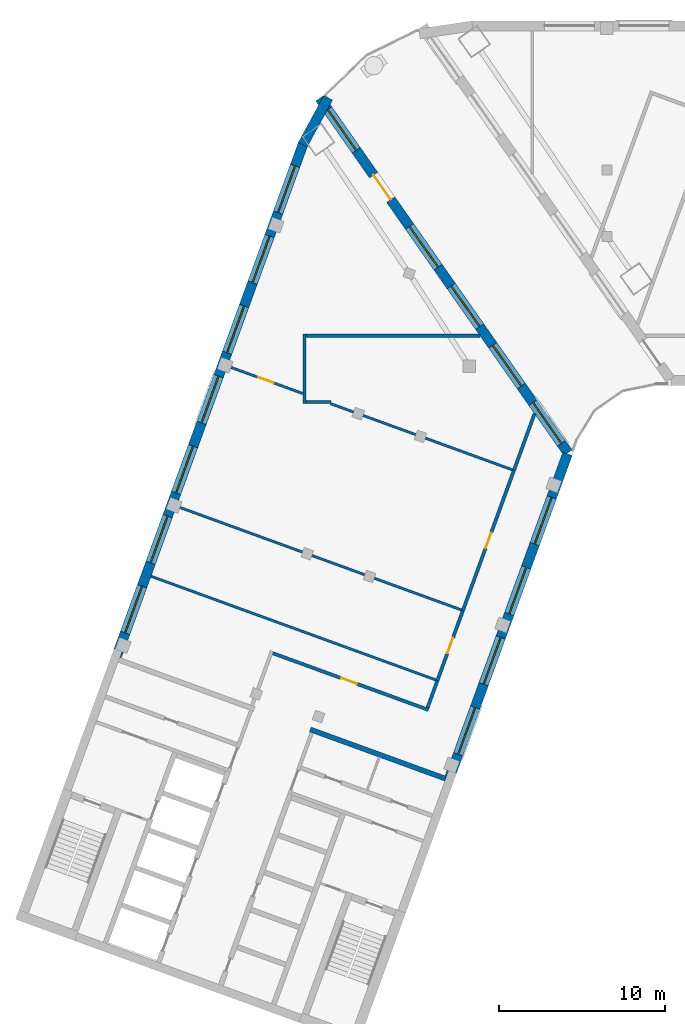
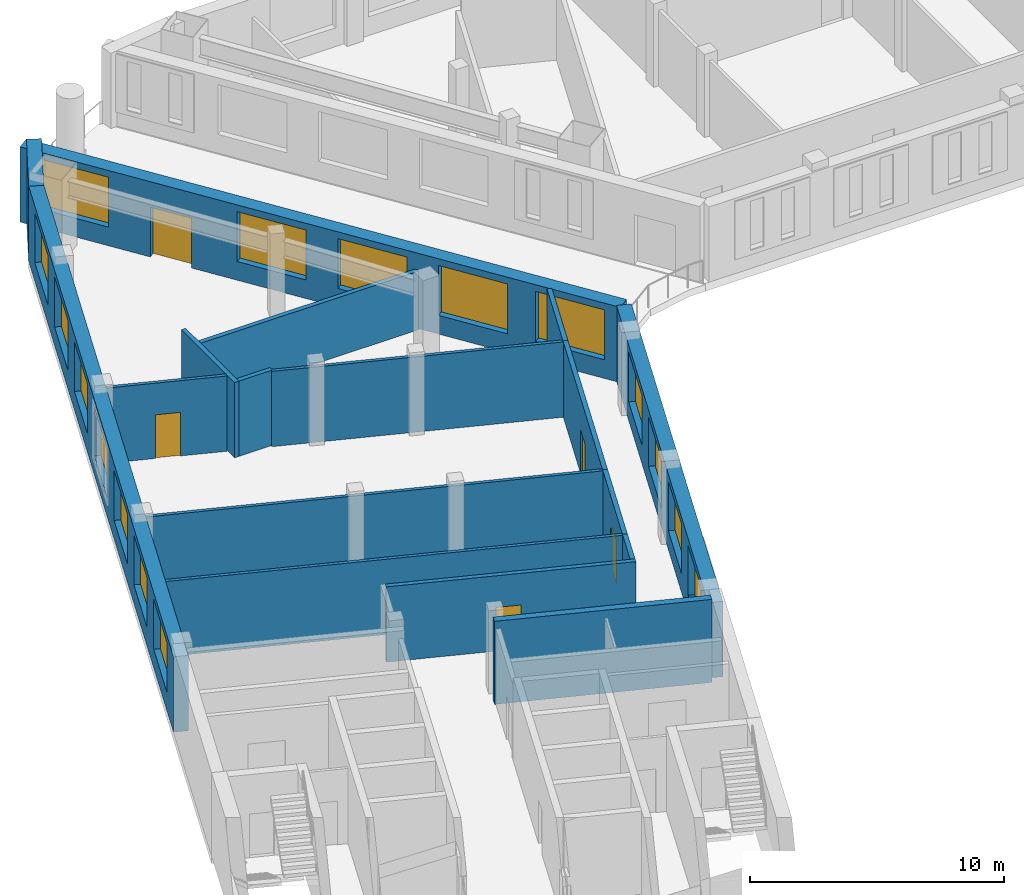
# One storey, part 3 of 11: 17 walls, 16 windows, 5 doors, 21 openings.
"""IFC4 building model written with IfcOpenShell, lengths in metres."""

from ifc_helpers import new_model, si_unit, direction, frame, frame_2d, origin, place, context, subcontext, project, spatial, rectangle, extrude, material, layer, layer_set, type_object, element, fill, save


model = new_model("IFC4")

# Units and contexts
model_context = context("Model", 3, precision=1e-05, world=origin(), true_north=direction((0.0, 1.0)))
body_context = subcontext(model_context, "Body", "Model", "MODEL_VIEW")
ifc_project = project(units=[si_unit("LENGTHUNIT", "METRE"), si_unit("AREAUNIT", "SQUARE_METRE"), si_unit("VOLUMEUNIT", "CUBIC_METRE"), si_unit("PLANEANGLEUNIT", "RADIAN"), si_unit("MASSUNIT", "GRAM", prefix="KILO")], contexts=[model_context])

# Site, building, storey
site_placement = place(None, origin())
site = spatial("IfcSite", under=ifc_project, at=site_placement, CompositionType="ELEMENT")
building_placement = place(site_placement, origin())
building = spatial("IfcBuilding", under=site, at=building_placement, Name="Skarvind Civic Tower", CompositionType="ELEMENT")
storey_placement = place(building_placement, frame((0.0, 0.0, 212.0)))
storey = spatial("IfcBuildingStorey", under=building, at=storey_placement, Name="L50", CompositionType="ELEMENT", Elevation=212.0)

# Wall
ifc_material_1 = material(Name="Concrete C60", Category="concrete")
ifc_layer_1 = layer(ifc_material_1, 0.300048828125)
ifc_layer_set_1 = layer_set([ifc_layer_1], Name="Core wall 300 C60")
wall_type_1 = type_object("IfcWallType", Name="Core wall 300 C60", PredefinedType="SHEAR", material=ifc_layer_set_1)
wall_1_placement = place(storey_placement, frame((44.52880859375, 93.258056640625, 0.0), z_axis=(0.0, 0.0, 1.0), x_axis=(-0.9396917844, 0.342022441267, 0.0)))
element("IfcWall", 1, at=wall_1_placement, inside=storey, type_object=wall_type_1, Name="Core wall C2 south inner face L50", PredefinedType="SHEAR", context=body_context, shape_type="SweptSolid", body=[
    extrude(rectangle(XDim=8.699951171875, YDim=0.300048828125, at=frame_2d((4.35009765625, 0.0))), origin(), (0.0, 0.0, 1.0), 4.0),
])

# Wall, opening, door
ifc_material_2 = material(Name="Fire-rated blockwork wall, plastered", Category="masonry")
ifc_layer_2 = layer(ifc_material_2, 0.199951171875)
ifc_layer_set_2 = layer_set([ifc_layer_2], Name="FIRE WALL 200 EI 60")
wall_type_2 = type_object("IfcWallType", Name="FIRE WALL 200 EI 60", PredefinedType="PARTITIONING", material=ifc_layer_set_2)
wall_2_placement = place(storey_placement, frame((34.091064453125, 100.8349609375, 0.0), z_axis=(0.0, 0.0, 1.0), x_axis=(0.939702148643, -0.341993964619, 0.0)))
wall_2 = element("IfcWall", 2, at=wall_2_placement, inside=storey, type_object=wall_type_2, Name="Portal partition L50 005", PredefinedType="PARTITIONING", context=body_context, shape_type="SweptSolid", body=[
    extrude(rectangle(XDim=10.0, YDim=0.199951171875, at=frame_2d((5.0, 0.0))), origin(), (0.0, 0.0, 1.0), 3.625),
])
opening_1_placement = place(wall_2_placement, frame((4.39990234375, 0.0, 0.0)))
opening_1 = element("IfcOpeningElement", 3, at=opening_1_placement, cuts=wall_2, Name="Opening L50-D202", PredefinedType="OPENING", context=body_context, shape_type="SweptSolid", body=[
    extrude(rectangle(XDim=1.0, YDim=2.10009765625, at=frame_2d((0.5, 1.050048828125))), frame((0.0, 0.10986328125, 0.0), z_axis=(0.0, -1.0, 0.0), x_axis=(1.0, 0.0, 0.0)), (0.0, 0.0, 1.0), 0.219970703125),
])
ifc_material_3 = material(Name="Painted steel fire door leaf", Category="steel")
door_type_1 = type_object("IfcDoorType", Name="FIRE DOOR 1000X2100 STEEL", OperationType="NOTDEFINED", PredefinedType="DOOR", material=ifc_material_3)
door_1_placement = place(opening_1_placement, origin())
door_1 = element("IfcDoor", 4, at=door_1_placement, inside=storey, type_object=door_type_1, Name="FIRE DOOR", OperationType="SINGLE_SWING_LEFT", OverallHeight=2.10009765625, OverallWidth=1.0, PredefinedType="DOOR", context=body_context, shape_type="SweptSolid", body=[
    extrude(rectangle(XDim=1.0, YDim=2.10009765625, at=frame_2d((0.5, 1.050048828125))), frame((0.0, 0.02490234375, 0.0), z_axis=(0.0, -1.0, 0.0), x_axis=(1.0, 0.0, 0.0)), (0.0, 0.0, 1.0), 0.050048828125),
])
fill(opening_1, door_1)

# Walls
wall_3_placement = place(storey_placement, frame((36.0, 115.89990234375, 0.0), z_axis=(0.0, 0.0, 1.0), x_axis=(0.0, 1.0, 0.0)))
element("IfcWall", 5, at=wall_3_placement, inside=storey, type_object=wall_type_2, Name="Portal partition L50 006", PredefinedType="PARTITIONING", context=body_context, shape_type="SweptSolid", body=[
    extrude(rectangle(XDim=4.2001953125, YDim=0.199951171875, at=frame_2d((2.10009765625, 0.0))), origin(), (0.0, 0.0, 1.0), 3.625),
])
wall_4_placement = place(storey_placement, frame((36.10009765625, 116.0, 0.0), z_axis=(0.0, 0.0, 1.0), x_axis=(1.0, 0.0, 0.0)))
element("IfcWall", 6, at=wall_4_placement, inside=storey, type_object=wall_type_2, Name="Portal partition L50 007", PredefinedType="PARTITIONING", context=body_context, shape_type="SweptSolid", body=[
    extrude(rectangle(XDim=1.515869140625, YDim=0.199951171875, at=frame_2d((0.7578125, 0.0))), origin(), (0.0, 0.0, 1.0), 3.625),
])
wall_5_placement = place(storey_placement, frame((36.10009765625, 120.0, 0.0), z_axis=(0.0, 0.0, 1.0), x_axis=(1.0, 0.0, 0.0)))
element("IfcWall", 7, at=wall_5_placement, inside=storey, type_object=wall_type_2, Name="Portal partition L50 008", PredefinedType="PARTITIONING", context=body_context, shape_type="SweptSolid", body=[
    extrude(rectangle(XDim=10.495849609375, YDim=0.199951171875, at=frame_2d((5.248046875, 0.0))), origin(), (0.0, 0.0, 1.0), 2.824951171875),
])
wall_6_placement = place(storey_placement, frame((43.427978515625, 97.54296875, 0.0), z_axis=(0.0, 0.0, 1.0), x_axis=(0.341776678944, 0.93978119886, 0.0)))
element("IfcWall", 8, at=wall_6_placement, inside=storey, type_object=wall_type_2, Name="Portal partition L50 010", PredefinedType="PARTITIONING", context=body_context, shape_type="SweptSolid", body=[
    extrude(rectangle(XDim=1.749267578125, YDim=0.199951171875, at=frame_2d((0.87451171875, 0.0))), origin(), (0.0, 0.0, 1.0), 3.625),
])

# Wall, opening, door
wall_7_placement = place(storey_placement, frame((44.02587890625, 99.18701171875, 0.0), z_axis=(0.0, 0.0, 1.0), x_axis=(0.342178571597, 0.939634942486, 0.0)))
wall_7 = element("IfcWall", 9, at=wall_7_placement, inside=storey, type_object=wall_type_2, Name="Portal partition L50 011", PredefinedType="PARTITIONING", context=body_context, shape_type="SweptSolid", body=[
    extrude(rectangle(XDim=4.500732421875, YDim=0.199951171875, at=frame_2d((2.25048828125, 0.0))), origin(), (0.0, 0.0, 1.0), 3.625),
])
opening_2_placement = place(wall_7_placement, frame((1.75, 0.0, 0.0)))
opening_2 = element("IfcOpeningElement", 10, at=opening_2_placement, cuts=wall_7, Name="Opening L50-D203", PredefinedType="OPENING", context=body_context, shape_type="SweptSolid", body=[
    extrude(rectangle(XDim=1.0, YDim=2.10009765625, at=frame_2d((0.5, 1.050048828125))), frame((0.0, 0.10986328125, 0.0), z_axis=(0.0, -1.0, 0.0), x_axis=(1.0, 0.0, 0.0)), (0.0, 0.0, 1.0), 0.219970703125),
])
door_2_placement = place(opening_2_placement, origin())
door_2 = element("IfcDoor", 11, at=door_2_placement, inside=storey, type_object=door_type_1, Name="FIRE DOOR", OperationType="SINGLE_SWING_RIGHT", OverallHeight=2.10009765625, OverallWidth=1.0, PredefinedType="DOOR", context=body_context, shape_type="SweptSolid", body=[
    extrude(rectangle(XDim=1.0, YDim=2.10009765625, at=frame_2d((0.5, 1.050048828125))), frame((0.0, 0.02490234375, 0.0), z_axis=(0.0, -1.0, 0.0), x_axis=(1.0, 0.0, 0.0)), (0.0, 0.0, 1.0), 0.050048828125),
])
fill(opening_2, door_2)

wall_8_placement = place(storey_placement, frame((45.56591796875, 103.416015625, 0.0), z_axis=(0.0, 0.0, 1.0), x_axis=(0.3420218461, 0.939692001025, 0.0)))
wall_8 = element("IfcWall", 12, at=wall_8_placement, inside=storey, type_object=wall_type_2, Name="Portal partition L50 012", PredefinedType="PARTITIONING", context=body_context, shape_type="SweptSolid", body=[
    extrude(rectangle(XDim=8.999755859375, YDim=0.199951171875, at=frame_2d((4.5, 0.0))), origin(), (0.0, 0.0, 1.0), 3.625),
])
opening_3_placement = place(wall_8_placement, frame((4.0, 0.0, 0.0)))
opening_3 = element("IfcOpeningElement", 13, at=opening_3_placement, cuts=wall_8, Name="Opening L50-D204", PredefinedType="OPENING", context=body_context, shape_type="SweptSolid", body=[
    extrude(rectangle(XDim=1.0, YDim=2.10009765625, at=frame_2d((0.5, 1.050048828125))), frame((0.0, 0.10986328125, 0.0), z_axis=(0.0, -1.0, 0.0), x_axis=(1.0, 0.0, 0.0)), (0.0, 0.0, 1.0), 0.219970703125),
])
door_3_placement = place(opening_3_placement, origin())
door_3 = element("IfcDoor", 14, at=door_3_placement, inside=storey, type_object=door_type_1, Name="FIRE DOOR", OperationType="SINGLE_SWING_LEFT", OverallHeight=2.10009765625, OverallWidth=1.0, PredefinedType="DOOR", context=body_context, shape_type="SweptSolid", body=[
    extrude(rectangle(XDim=1.0, YDim=2.10009765625, at=frame_2d((0.5, 1.050048828125))), frame((0.0, 0.02490234375, 0.0), z_axis=(0.0, -1.0, 0.0), x_axis=(1.0, 0.0, 0.0)), (0.0, 0.0, 1.0), 0.050048828125),
])
fill(opening_3, door_3)

# Walls
wall_9_placement = place(storey_placement, frame((48.64404296875, 111.873046875, 0.0), z_axis=(0.0, 0.0, 1.0), x_axis=(0.342028270269, 0.939689662781, 0.0)))
element("IfcWall", 15, at=wall_9_placement, inside=storey, type_object=wall_type_2, Name="Portal partition L50 013", PredefinedType="PARTITIONING", context=body_context, shape_type="SweptSolid", body=[
    extrude(rectangle(XDim=3.642578125, YDim=0.199951171875, at=frame_2d((1.8212890625, 0.0))), origin(), (0.0, 0.0, 1.0), 3.625),
])
ifc_material_4 = material(Name="Plasterboard partition on steel studs", Category="steel")
ifc_layer_3 = layer(ifc_material_4, 0.14990234375)
ifc_layer_set_3 = layer_set([ifc_layer_3], Name="PARTITION 150")
wall_type_3 = type_object("IfcWallType", Name="PARTITION 150", PredefinedType="PARTITIONING", material=ifc_layer_set_3)
wall_10_placement = place(storey_placement, frame((26.737060546875, 105.48095703125, 0.0), z_axis=(0.0, 0.0, 1.0), x_axis=(0.939664418128, -0.342097619554, 0.0)))
element("IfcWall", 16, at=wall_10_placement, inside=storey, type_object=wall_type_3, Name="Portal partition L50 001", PredefinedType="PARTITIONING", context=body_context, shape_type="SweptSolid", body=[
    extrude(rectangle(XDim=18.298828125, YDim=0.14990234375, at=frame_2d((9.1494140625, 0.0))), origin(), (0.0, 0.0, 1.0), 3.625),
])
wall_11_placement = place(storey_placement, frame((28.27490234375, 109.708984375, 0.0), z_axis=(0.0, 0.0, 1.0), x_axis=(0.939695619185, -0.342011905181, 0.0)))
element("IfcWall", 17, at=wall_11_placement, inside=storey, type_object=wall_type_3, Name="Portal partition L50 002", PredefinedType="PARTITIONING", context=body_context, shape_type="SweptSolid", body=[
    extrude(rectangle(XDim=18.300537109375, YDim=0.14990234375, at=frame_2d((9.150390625, 0.0))), origin(), (0.0, 0.0, 1.0), 3.625),
])

# Wall, opening, door
wall_12_placement = place(storey_placement, frame((35.89990234375, 116.510986328125, 0.0), z_axis=(0.0, 0.0, 1.0), x_axis=(-0.939620956464, 0.342216975284, 0.0)))
wall_12 = element("IfcWall", 18, at=wall_12_placement, inside=storey, type_object=wall_type_3, Name="Portal partition L50 003", PredefinedType="PARTITIONING", context=body_context, shape_type="SweptSolid", body=[
    extrude(rectangle(XDim=4.839111328125, YDim=0.14990234375, at=frame_2d((2.41943359375, 0.0))), origin(), (0.0, 0.0, 1.0), 3.625),
])
opening_4_placement = place(wall_12_placement, frame((1.865966796875, 0.0, 0.0)))
opening_4 = element("IfcOpeningElement", 19, at=opening_4_placement, cuts=wall_12, Name="Opening L50-D201", PredefinedType="OPENING", context=body_context, shape_type="SweptSolid", body=[
    extrude(rectangle(XDim=1.0, YDim=2.10009765625, at=frame_2d((0.5, 1.050048828125))), frame((0.0, 0.0849609375, 0.0), z_axis=(0.0, -1.0, 0.0), x_axis=(1.0, 0.0, 0.0)), (0.0, 0.0, 1.0), 0.169921875),
])
ifc_material_5 = material(Name="Timber veneer door leaf", Category="wood")
door_type_2 = type_object("IfcDoorType", Name="DOOR 1000X2100 TIMBER", OperationType="NOTDEFINED", PredefinedType="DOOR", material=ifc_material_5)
door_4_placement = place(opening_4_placement, origin())
door_4 = element("IfcDoor", 20, at=door_4_placement, inside=storey, type_object=door_type_2, Name="DOOR DOOR", OperationType="SINGLE_SWING_RIGHT", OverallHeight=2.10009765625, OverallWidth=1.0, PredefinedType="DOOR", context=body_context, shape_type="SweptSolid", body=[
    extrude(rectangle(XDim=1.0, YDim=2.10009765625, at=frame_2d((0.5, 1.050048828125))), frame((0.0, 0.02490234375, 0.0), z_axis=(0.0, -1.0, 0.0), x_axis=(1.0, 0.0, 0.0)), (0.0, 0.0, 1.0), 0.050048828125),
])
fill(opening_4, door_4)

# Wall
wall_13_placement = place(storey_placement, frame((37.573974609375, 115.902099609375, 0.0), z_axis=(0.0, 0.0, 1.0), x_axis=(0.939688414098, -0.342031700883, 0.0)))
element("IfcWall", 21, at=wall_13_placement, inside=storey, type_object=wall_type_3, Name="Portal partition L50 009", PredefinedType="PARTITIONING", context=body_context, shape_type="SweptSolid", body=[
    extrude(rectangle(XDim=11.6806640625, YDim=0.14990234375, at=frame_2d((5.84033203125, 0.0))), origin(), (0.0, 0.0, 1.0), 3.625),
])

# Wall, openings, windows
ifc_material_6 = material(Name="Limestone masonry cladding on insulated backing", Category="masonry")
ifc_layer_4 = layer(ifc_material_6, 0.60009765625)
ifc_layer_set_4 = layer_set([ifc_layer_4], Name="WX1 STONE FACADE WALL 600")
wall_type_4 = type_object("IfcWallType", Name="WX1 STONE FACADE WALL 600", PredefinedType="SOLIDWALL", material=ifc_layer_set_4)
wall_14_placement = place(storey_placement, frame((51.876953125, 112.862060546875, 0.0), z_axis=(0.0, 0.0, 1.0), x_axis=(-0.342020589714, -0.939692458314, 0.0)))
wall_14 = element("IfcWall", 22, at=wall_14_placement, inside=storey, type_object=wall_type_4, Name="STONE FACADE WALL", PredefinedType="SOLIDWALL", context=body_context, shape_type="SweptSolid", body=[
    extrude(rectangle(XDim=20.764892578125, YDim=0.60009765625, at=frame_2d((10.38232421875, 0.0))), origin(), (0.0, 0.0, 1.0), 3.625),
])
opening_5_placement = place(wall_14_placement, frame((2.784912109375, 0.0, 0.89990234375)))
opening_5 = element("IfcOpeningElement", 23, at=opening_5_placement, cuts=wall_14, Name="Opening WN1", PredefinedType="OPENING", context=body_context, shape_type="SweptSolid", body=[
    extrude(rectangle(XDim=3.0, YDim=2.39990234375, at=frame_2d((1.5, 1.199951171875))), frame((0.0, 0.31005859375, 0.0), z_axis=(0.0, -1.0, 0.0), x_axis=(1.0, 0.0, 0.0)), (0.0, 0.0, 1.0), 0.6201171875),
])
opening_6_placement = place(wall_14_placement, frame((7.284912109375, 0.0, 0.89990234375)))
opening_6 = element("IfcOpeningElement", 24, at=opening_6_placement, cuts=wall_14, Name="Opening WN1", PredefinedType="OPENING", context=body_context, shape_type="SweptSolid", body=[
    extrude(rectangle(XDim=3.0, YDim=2.39990234375, at=frame_2d((1.5, 1.199951171875))), frame((0.0, 0.31005859375, 0.0), z_axis=(0.0, -1.0, 0.0), x_axis=(1.0, 0.0, 0.0)), (0.0, 0.0, 1.0), 0.6201171875),
])
opening_7_placement = place(wall_14_placement, frame((11.784912109375, 0.0, 0.89990234375)))
opening_7 = element("IfcOpeningElement", 25, at=opening_7_placement, cuts=wall_14, Name="Opening WN1", PredefinedType="OPENING", context=body_context, shape_type="SweptSolid", body=[
    extrude(rectangle(XDim=3.0, YDim=2.39990234375, at=frame_2d((1.5, 1.199951171875))), frame((0.0, 0.31005859375, 0.0), z_axis=(0.0, -1.0, 0.0), x_axis=(1.0, 0.0, 0.0)), (0.0, 0.0, 1.0), 0.6201171875),
])
opening_8_placement = place(wall_14_placement, frame((16.284912109375, 0.0, 0.89990234375)))
opening_8 = element("IfcOpeningElement", 26, at=opening_8_placement, cuts=wall_14, Name="Opening WN1", PredefinedType="OPENING", context=body_context, shape_type="SweptSolid", body=[
    extrude(rectangle(XDim=3.0, YDim=2.39990234375, at=frame_2d((1.5, 1.199951171875))), frame((0.0, 0.31005859375, 0.0), z_axis=(0.0, -1.0, 0.0), x_axis=(1.0, 0.0, 0.0)), (0.0, 0.0, 1.0), 0.6201171875),
])
ifc_material_7 = material(Name="Timber frame, double glazing, timber-lined reveal", Category="wood")
window_type = type_object("IfcWindowType", Name="WN1 PUNCHED STONE WINDOW 3000 x 2400", PartitioningType="SINGLE_PANEL", PredefinedType="WINDOW", material=ifc_material_7)
window_1_placement = place(opening_5_placement, origin())
window_1 = element("IfcWindow", 27, at=window_1_placement, inside=storey, type_object=window_type, Name="WN1 WINDOW", OverallHeight=2.39990234375, OverallWidth=3.0, PartitioningType="SINGLE_PANEL", PredefinedType="WINDOW", context=body_context, shape_type="SweptSolid", body=[
    extrude(rectangle(XDim=3.0, YDim=2.39990234375, at=frame_2d((1.5, 1.199951171875))), frame((0.0, 0.030029296875, 0.0), z_axis=(0.0, -1.0, 0.0), x_axis=(1.0, 0.0, 0.0)), (0.0, 0.0, 1.0), 0.06005859375),
])
fill(opening_5, window_1)
window_2_placement = place(opening_6_placement, origin())
window_2 = element("IfcWindow", 28, at=window_2_placement, inside=storey, type_object=window_type, Name="WN1 WINDOW", OverallHeight=2.39990234375, OverallWidth=3.0, PartitioningType="SINGLE_PANEL", PredefinedType="WINDOW", context=body_context, shape_type="SweptSolid", body=[
    extrude(rectangle(XDim=3.0, YDim=2.39990234375, at=frame_2d((1.5, 1.199951171875))), frame((0.0, 0.030029296875, 0.0), z_axis=(0.0, -1.0, 0.0), x_axis=(1.0, 0.0, 0.0)), (0.0, 0.0, 1.0), 0.06005859375),
])
fill(opening_6, window_2)
window_3_placement = place(opening_7_placement, origin())
window_3 = element("IfcWindow", 29, at=window_3_placement, inside=storey, type_object=window_type, Name="WN1 WINDOW", OverallHeight=2.39990234375, OverallWidth=3.0, PartitioningType="SINGLE_PANEL", PredefinedType="WINDOW", context=body_context, shape_type="SweptSolid", body=[
    extrude(rectangle(XDim=3.0, YDim=2.39990234375, at=frame_2d((1.5, 1.199951171875))), frame((0.0, 0.030029296875, 0.0), z_axis=(0.0, -1.0, 0.0), x_axis=(1.0, 0.0, 0.0)), (0.0, 0.0, 1.0), 0.06005859375),
])
fill(opening_7, window_3)
window_4_placement = place(opening_8_placement, origin())
window_4 = element("IfcWindow", 30, at=window_4_placement, inside=storey, type_object=window_type, Name="WN1 WINDOW", OverallHeight=2.39990234375, OverallWidth=3.0, PartitioningType="SINGLE_PANEL", PredefinedType="WINDOW", context=body_context, shape_type="SweptSolid", body=[
    extrude(rectangle(XDim=3.0, YDim=2.39990234375, at=frame_2d((1.5, 1.199951171875))), frame((0.0, 0.030029296875, 0.0), z_axis=(0.0, -1.0, 0.0), x_axis=(1.0, 0.0, 0.0)), (0.0, 0.0, 1.0), 0.06005859375),
])
fill(opening_8, window_4)

# Wall, openings, door, windows
wall_15_placement = place(storey_placement, frame((36.923095703125, 134.338134765625, 0.0), z_axis=(0.0, 0.0, 1.0), x_axis=(0.573575266068, -0.819152863729, 0.0)))
wall_15 = element("IfcWall", 31, at=wall_15_placement, inside=storey, type_object=wall_type_4, Name="STONE FACADE WALL", PredefinedType="SOLIDWALL", context=body_context, shape_type="SweptSolid", body=[
    extrude(rectangle(XDim=26.1171875, YDim=0.60009765625, at=frame_2d((13.05859375, 0.0))), origin(), (0.0, 0.0, 1.0), 3.625),
])
opening_9_placement = place(wall_15_placement, frame((0.83984375, 0.0, 0.89990234375)))
opening_9 = element("IfcOpeningElement", 32, at=opening_9_placement, cuts=wall_15, Name="Opening WN1", PredefinedType="OPENING", context=body_context, shape_type="SweptSolid", body=[
    extrude(rectangle(XDim=3.0, YDim=2.39990234375, at=frame_2d((1.5, 1.199951171875))), frame((0.0, 0.31005859375, 0.0), z_axis=(0.0, -1.0, 0.0), x_axis=(1.0, 0.0, 0.0)), (0.0, 0.0, 1.0), 0.6201171875),
])
opening_10_placement = place(wall_15_placement, frame((5.669189453125, 0.0, 0.0)))
opening_10 = element("IfcOpeningElement", 33, at=opening_10_placement, cuts=wall_15, Name="Opening DX3", PredefinedType="OPENING", context=body_context, shape_type="SweptSolid", body=[
    extrude(rectangle(XDim=1.800048828125, YDim=2.39990234375, at=frame_2d((0.89990234375, 1.199951171875))), frame((0.0, 0.31005859375, 0.0), z_axis=(0.0, -1.0, 0.0), x_axis=(1.0, 0.0, 0.0)), (0.0, 0.0, 1.0), 0.6201171875),
])
opening_11_placement = place(wall_15_placement, frame((9.448974609375, 0.0, 0.89990234375)))
opening_11 = element("IfcOpeningElement", 34, at=opening_11_placement, cuts=wall_15, Name="Opening WN1", PredefinedType="OPENING", context=body_context, shape_type="SweptSolid", body=[
    extrude(rectangle(XDim=3.0, YDim=2.39990234375, at=frame_2d((1.5, 1.199951171875))), frame((0.0, 0.31005859375, 0.0), z_axis=(0.0, -1.0, 0.0), x_axis=(1.0, 0.0, 0.0)), (0.0, 0.0, 1.0), 0.6201171875),
])
opening_12_placement = place(wall_15_placement, frame((13.82861328125, 0.0, 0.89990234375)))
opening_12 = element("IfcOpeningElement", 35, at=opening_12_placement, cuts=wall_15, Name="Opening WN1", PredefinedType="OPENING", context=body_context, shape_type="SweptSolid", body=[
    extrude(rectangle(XDim=3.0, YDim=2.39990234375, at=frame_2d((1.5, 1.199951171875))), frame((0.0, 0.31005859375, 0.0), z_axis=(0.0, -1.0, 0.0), x_axis=(1.0, 0.0, 0.0)), (0.0, 0.0, 1.0), 0.6201171875),
])
opening_13_placement = place(wall_15_placement, frame((18.2080078125, 0.0, 0.89990234375)))
opening_13 = element("IfcOpeningElement", 36, at=opening_13_placement, cuts=wall_15, Name="Opening WN1", PredefinedType="OPENING", context=body_context, shape_type="SweptSolid", body=[
    extrude(rectangle(XDim=3.0, YDim=2.39990234375, at=frame_2d((1.5, 1.199951171875))), frame((0.0, 0.31005859375, 0.0), z_axis=(0.0, -1.0, 0.0), x_axis=(1.0, 0.0, 0.0)), (0.0, 0.0, 1.0), 0.6201171875),
])
opening_14_placement = place(wall_15_placement, frame((22.4375, 0.0, 0.89990234375)))
opening_14 = element("IfcOpeningElement", 37, at=opening_14_placement, cuts=wall_15, Name="Opening WN1", PredefinedType="OPENING", context=body_context, shape_type="SweptSolid", body=[
    extrude(rectangle(XDim=3.0, YDim=2.39990234375, at=frame_2d((1.5, 1.199951171875))), frame((0.0, 0.31005859375, 0.0), z_axis=(0.0, -1.0, 0.0), x_axis=(1.0, 0.0, 0.0)), (0.0, 0.0, 1.0), 0.6201171875),
])
ifc_material_8 = material(Name="Timber and glass doorset", Category="wood")
door_type_3 = type_object("IfcDoorType", Name="DX3 TERRACE DOORS 1800 x 2400", OperationType="NOTDEFINED", PredefinedType="DOOR", material=ifc_material_8)
door_5_placement = place(opening_10_placement, origin())
door_5 = element("IfcDoor", 38, at=door_5_placement, inside=storey, type_object=door_type_3, Name="TERRACE DOORS", OperationType="DOUBLE_DOOR_SINGLE_SWING", OverallHeight=2.39990234375, OverallWidth=1.800048828125, PredefinedType="DOOR", context=body_context, shape_type="SweptSolid", body=[
    extrude(rectangle(XDim=1.800048828125, YDim=2.39990234375, at=frame_2d((0.89990234375, 1.199951171875))), frame((0.0, 0.02490234375, 0.0), z_axis=(0.0, -1.0, 0.0), x_axis=(1.0, 0.0, 0.0)), (0.0, 0.0, 1.0), 0.050048828125),
])
fill(opening_10, door_5)
window_5_placement = place(opening_9_placement, origin())
window_5 = element("IfcWindow", 39, at=window_5_placement, inside=storey, type_object=window_type, Name="WN1 WINDOW", OverallHeight=2.39990234375, OverallWidth=3.0, PartitioningType="SINGLE_PANEL", PredefinedType="WINDOW", context=body_context, shape_type="SweptSolid", body=[
    extrude(rectangle(XDim=3.0, YDim=2.39990234375, at=frame_2d((1.5, 1.199951171875))), frame((0.0, 0.030029296875, 0.0), z_axis=(0.0, -1.0, 0.0), x_axis=(1.0, 0.0, 0.0)), (0.0, 0.0, 1.0), 0.06005859375),
])
fill(opening_9, window_5)
window_6_placement = place(opening_11_placement, origin())
window_6 = element("IfcWindow", 40, at=window_6_placement, inside=storey, type_object=window_type, Name="WN1 WINDOW", OverallHeight=2.39990234375, OverallWidth=3.0, PartitioningType="SINGLE_PANEL", PredefinedType="WINDOW", context=body_context, shape_type="SweptSolid", body=[
    extrude(rectangle(XDim=3.0, YDim=2.39990234375, at=frame_2d((1.5, 1.199951171875))), frame((0.0, 0.030029296875, 0.0), z_axis=(0.0, -1.0, 0.0), x_axis=(1.0, 0.0, 0.0)), (0.0, 0.0, 1.0), 0.06005859375),
])
fill(opening_11, window_6)
window_7_placement = place(opening_12_placement, origin())
window_7 = element("IfcWindow", 41, at=window_7_placement, inside=storey, type_object=window_type, Name="WN1 WINDOW", OverallHeight=2.39990234375, OverallWidth=3.0, PartitioningType="SINGLE_PANEL", PredefinedType="WINDOW", context=body_context, shape_type="SweptSolid", body=[
    extrude(rectangle(XDim=3.0, YDim=2.39990234375, at=frame_2d((1.5, 1.199951171875))), frame((0.0, 0.030029296875, 0.0), z_axis=(0.0, -1.0, 0.0), x_axis=(1.0, 0.0, 0.0)), (0.0, 0.0, 1.0), 0.06005859375),
])
fill(opening_12, window_7)
window_8_placement = place(opening_13_placement, origin())
window_8 = element("IfcWindow", 42, at=window_8_placement, inside=storey, type_object=window_type, Name="WN1 WINDOW", OverallHeight=2.39990234375, OverallWidth=3.0, PartitioningType="SINGLE_PANEL", PredefinedType="WINDOW", context=body_context, shape_type="SweptSolid", body=[
    extrude(rectangle(XDim=3.0, YDim=2.39990234375, at=frame_2d((1.5, 1.199951171875))), frame((0.0, 0.030029296875, 0.0), z_axis=(0.0, -1.0, 0.0), x_axis=(1.0, 0.0, 0.0)), (0.0, 0.0, 1.0), 0.06005859375),
])
fill(opening_13, window_8)
window_9_placement = place(opening_14_placement, origin())
window_9 = element("IfcWindow", 43, at=window_9_placement, inside=storey, type_object=window_type, Name="WN1 WINDOW", OverallHeight=2.39990234375, OverallWidth=3.0, PartitioningType="SINGLE_PANEL", PredefinedType="WINDOW", context=body_context, shape_type="SweptSolid", body=[
    extrude(rectangle(XDim=3.0, YDim=2.39990234375, at=frame_2d((1.5, 1.199951171875))), frame((0.0, 0.030029296875, 0.0), z_axis=(0.0, -1.0, 0.0), x_axis=(1.0, 0.0, 0.0)), (0.0, 0.0, 1.0), 0.06005859375),
])
fill(opening_14, window_9)

# Wall
wall_16_placement = place(storey_placement, frame((35.89453125, 131.529541015625, 0.0), z_axis=(0.0, 0.0, 1.0), x_axis=(0.476529237666, 0.879158623713, 0.0)))
element("IfcWall", 44, at=wall_16_placement, inside=storey, type_object=wall_type_4, Name="STONE FACADE WALL", PredefinedType="SOLIDWALL", context=body_context, shape_type="SweptSolid", body=[
    extrude(rectangle(XDim=3.227783203125, YDim=0.60009765625, at=frame_2d((1.61376953125, 0.0))), origin(), (0.0, 0.0, 1.0), 3.625),
])

# Wall, openings, windows
wall_17_placement = place(storey_placement, frame((24.66552734375, 100.668701171875, 0.0), z_axis=(0.0, 0.0, 1.0), x_axis=(0.34201964167, 0.939692803373, 0.0)))
wall_17 = element("IfcWall", 45, at=wall_17_placement, inside=storey, type_object=wall_type_4, Name="STONE FACADE WALL", PredefinedType="SOLIDWALL", context=body_context, shape_type="SweptSolid", body=[
    extrude(rectangle(XDim=32.88427734375, YDim=0.60009765625, at=frame_2d((16.442138671875, 0.0))), origin(), (0.0, 0.0, 1.0), 3.625),
])
opening_15_placement = place(wall_17_placement, frame((1.47998046875, 0.0, 0.89990234375)))
opening_15 = element("IfcOpeningElement", 46, at=opening_15_placement, cuts=wall_17, Name="Opening WN1", PredefinedType="OPENING", context=body_context, shape_type="SweptSolid", body=[
    extrude(rectangle(XDim=3.0, YDim=2.39990234375, at=frame_2d((1.5, 1.199951171875))), frame((0.0, 0.31005859375, 0.0), z_axis=(0.0, -1.0, 0.0), x_axis=(1.0, 0.0, 0.0)), (0.0, 0.0, 1.0), 0.6201171875),
])
opening_16_placement = place(wall_17_placement, frame((5.97998046875, 0.0, 0.89990234375)))
opening_16 = element("IfcOpeningElement", 47, at=opening_16_placement, cuts=wall_17, Name="Opening WN1", PredefinedType="OPENING", context=body_context, shape_type="SweptSolid", body=[
    extrude(rectangle(XDim=3.0, YDim=2.39990234375, at=frame_2d((1.5, 1.199951171875))), frame((0.0, 0.31005859375, 0.0), z_axis=(0.0, -1.0, 0.0), x_axis=(1.0, 0.0, 0.0)), (0.0, 0.0, 1.0), 0.6201171875),
])
opening_17_placement = place(wall_17_placement, frame((10.47998046875, 0.0, 0.89990234375)))
opening_17 = element("IfcOpeningElement", 48, at=opening_17_placement, cuts=wall_17, Name="Opening WN1", PredefinedType="OPENING", context=body_context, shape_type="SweptSolid", body=[
    extrude(rectangle(XDim=3.0, YDim=2.39990234375, at=frame_2d((1.5, 1.199951171875))), frame((0.0, 0.31005859375, 0.0), z_axis=(0.0, -1.0, 0.0), x_axis=(1.0, 0.0, 0.0)), (0.0, 0.0, 1.0), 0.6201171875),
])
opening_18_placement = place(wall_17_placement, frame((14.97998046875, 0.0, 0.89990234375)))
opening_18 = element("IfcOpeningElement", 49, at=opening_18_placement, cuts=wall_17, Name="Opening WN1", PredefinedType="OPENING", context=body_context, shape_type="SweptSolid", body=[
    extrude(rectangle(XDim=3.0, YDim=2.39990234375, at=frame_2d((1.5, 1.199951171875))), frame((0.0, 0.31005859375, 0.0), z_axis=(0.0, -1.0, 0.0), x_axis=(1.0, 0.0, 0.0)), (0.0, 0.0, 1.0), 0.6201171875),
])
opening_19_placement = place(wall_17_placement, frame((19.47998046875, 0.0, 0.89990234375)))
opening_19 = element("IfcOpeningElement", 50, at=opening_19_placement, cuts=wall_17, Name="Opening WN1", PredefinedType="OPENING", context=body_context, shape_type="SweptSolid", body=[
    extrude(rectangle(XDim=3.0, YDim=2.39990234375, at=frame_2d((1.5, 1.199951171875))), frame((0.0, 0.31005859375, 0.0), z_axis=(0.0, -1.0, 0.0), x_axis=(1.0, 0.0, 0.0)), (0.0, 0.0, 1.0), 0.6201171875),
])
opening_20_placement = place(wall_17_placement, frame((23.97998046875, 0.0, 0.89990234375)))
opening_20 = element("IfcOpeningElement", 51, at=opening_20_placement, cuts=wall_17, Name="Opening WN1", PredefinedType="OPENING", context=body_context, shape_type="SweptSolid", body=[
    extrude(rectangle(XDim=3.0, YDim=2.39990234375, at=frame_2d((1.5, 1.199951171875))), frame((0.0, 0.31005859375, 0.0), z_axis=(0.0, -1.0, 0.0), x_axis=(1.0, 0.0, 0.0)), (0.0, 0.0, 1.0), 0.6201171875),
])
opening_21_placement = place(wall_17_placement, frame((28.47998046875, 0.0, 0.89990234375)))
opening_21 = element("IfcOpeningElement", 52, at=opening_21_placement, cuts=wall_17, Name="Opening WN1", PredefinedType="OPENING", context=body_context, shape_type="SweptSolid", body=[
    extrude(rectangle(XDim=3.0, YDim=2.39990234375, at=frame_2d((1.5, 1.199951171875))), frame((0.0, 0.31005859375, 0.0), z_axis=(0.0, -1.0, 0.0), x_axis=(1.0, 0.0, 0.0)), (0.0, 0.0, 1.0), 0.6201171875),
])
window_10_placement = place(opening_15_placement, origin())
window_10 = element("IfcWindow", 53, at=window_10_placement, inside=storey, type_object=window_type, Name="WN1 WINDOW", OverallHeight=2.39990234375, OverallWidth=3.0, PartitioningType="SINGLE_PANEL", PredefinedType="WINDOW", context=body_context, shape_type="SweptSolid", body=[
    extrude(rectangle(XDim=3.0, YDim=2.39990234375, at=frame_2d((1.5, 1.199951171875))), frame((0.0, 0.030029296875, 0.0), z_axis=(0.0, -1.0, 0.0), x_axis=(1.0, 0.0, 0.0)), (0.0, 0.0, 1.0), 0.06005859375),
])
fill(opening_15, window_10)
window_11_placement = place(opening_16_placement, origin())
window_11 = element("IfcWindow", 54, at=window_11_placement, inside=storey, type_object=window_type, Name="WN1 WINDOW", OverallHeight=2.39990234375, OverallWidth=3.0, PartitioningType="SINGLE_PANEL", PredefinedType="WINDOW", context=body_context, shape_type="SweptSolid", body=[
    extrude(rectangle(XDim=3.0, YDim=2.39990234375, at=frame_2d((1.5, 1.199951171875))), frame((0.0, 0.030029296875, 0.0), z_axis=(0.0, -1.0, 0.0), x_axis=(1.0, 0.0, 0.0)), (0.0, 0.0, 1.0), 0.06005859375),
])
fill(opening_16, window_11)
window_12_placement = place(opening_17_placement, origin())
window_12 = element("IfcWindow", 55, at=window_12_placement, inside=storey, type_object=window_type, Name="WN1 WINDOW", OverallHeight=2.39990234375, OverallWidth=3.0, PartitioningType="SINGLE_PANEL", PredefinedType="WINDOW", context=body_context, shape_type="SweptSolid", body=[
    extrude(rectangle(XDim=3.0, YDim=2.39990234375, at=frame_2d((1.5, 1.199951171875))), frame((0.0, 0.030029296875, 0.0), z_axis=(0.0, -1.0, 0.0), x_axis=(1.0, 0.0, 0.0)), (0.0, 0.0, 1.0), 0.06005859375),
])
fill(opening_17, window_12)
window_13_placement = place(opening_18_placement, origin())
window_13 = element("IfcWindow", 56, at=window_13_placement, inside=storey, type_object=window_type, Name="WN1 WINDOW", OverallHeight=2.39990234375, OverallWidth=3.0, PartitioningType="SINGLE_PANEL", PredefinedType="WINDOW", context=body_context, shape_type="SweptSolid", body=[
    extrude(rectangle(XDim=3.0, YDim=2.39990234375, at=frame_2d((1.5, 1.199951171875))), frame((0.0, 0.030029296875, 0.0), z_axis=(0.0, -1.0, 0.0), x_axis=(1.0, 0.0, 0.0)), (0.0, 0.0, 1.0), 0.06005859375),
])
fill(opening_18, window_13)
window_14_placement = place(opening_19_placement, origin())
window_14 = element("IfcWindow", 57, at=window_14_placement, inside=storey, type_object=window_type, Name="WN1 WINDOW", OverallHeight=2.39990234375, OverallWidth=3.0, PartitioningType="SINGLE_PANEL", PredefinedType="WINDOW", context=body_context, shape_type="SweptSolid", body=[
    extrude(rectangle(XDim=3.0, YDim=2.39990234375, at=frame_2d((1.5, 1.199951171875))), frame((0.0, 0.030029296875, 0.0), z_axis=(0.0, -1.0, 0.0), x_axis=(1.0, 0.0, 0.0)), (0.0, 0.0, 1.0), 0.06005859375),
])
fill(opening_19, window_14)
window_15_placement = place(opening_20_placement, origin())
window_15 = element("IfcWindow", 58, at=window_15_placement, inside=storey, type_object=window_type, Name="WN1 WINDOW", OverallHeight=2.39990234375, OverallWidth=3.0, PartitioningType="SINGLE_PANEL", PredefinedType="WINDOW", context=body_context, shape_type="SweptSolid", body=[
    extrude(rectangle(XDim=3.0, YDim=2.39990234375, at=frame_2d((1.5, 1.199951171875))), frame((0.0, 0.030029296875, 0.0), z_axis=(0.0, -1.0, 0.0), x_axis=(1.0, 0.0, 0.0)), (0.0, 0.0, 1.0), 0.06005859375),
])
fill(opening_20, window_15)
window_16_placement = place(opening_21_placement, origin())
window_16 = element("IfcWindow", 59, at=window_16_placement, inside=storey, type_object=window_type, Name="WN1 WINDOW", OverallHeight=2.39990234375, OverallWidth=3.0, PartitioningType="SINGLE_PANEL", PredefinedType="WINDOW", context=body_context, shape_type="SweptSolid", body=[
    extrude(rectangle(XDim=3.0, YDim=2.39990234375, at=frame_2d((1.5, 1.199951171875))), frame((0.0, 0.030029296875, 0.0), z_axis=(0.0, -1.0, 0.0), x_axis=(1.0, 0.0, 0.0)), (0.0, 0.0, 1.0), 0.06005859375),
])
fill(opening_21, window_16)

save(model, "model.ifc")
